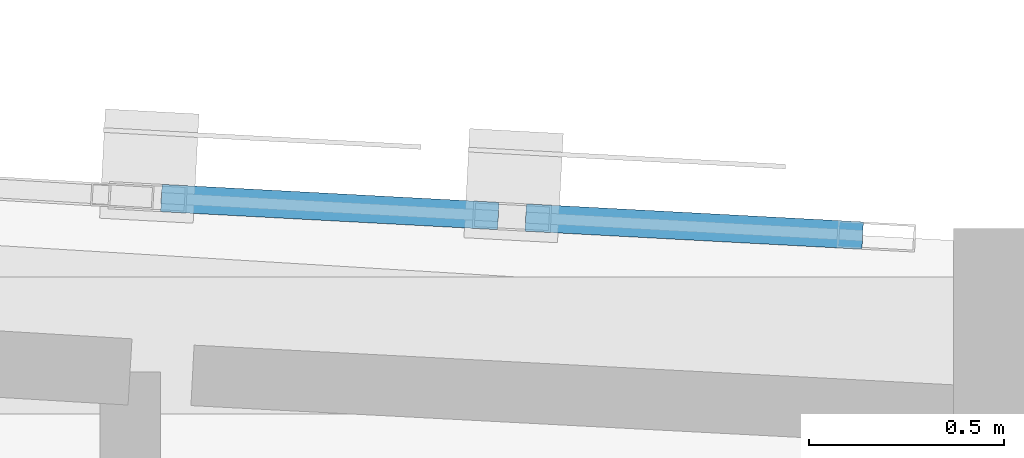
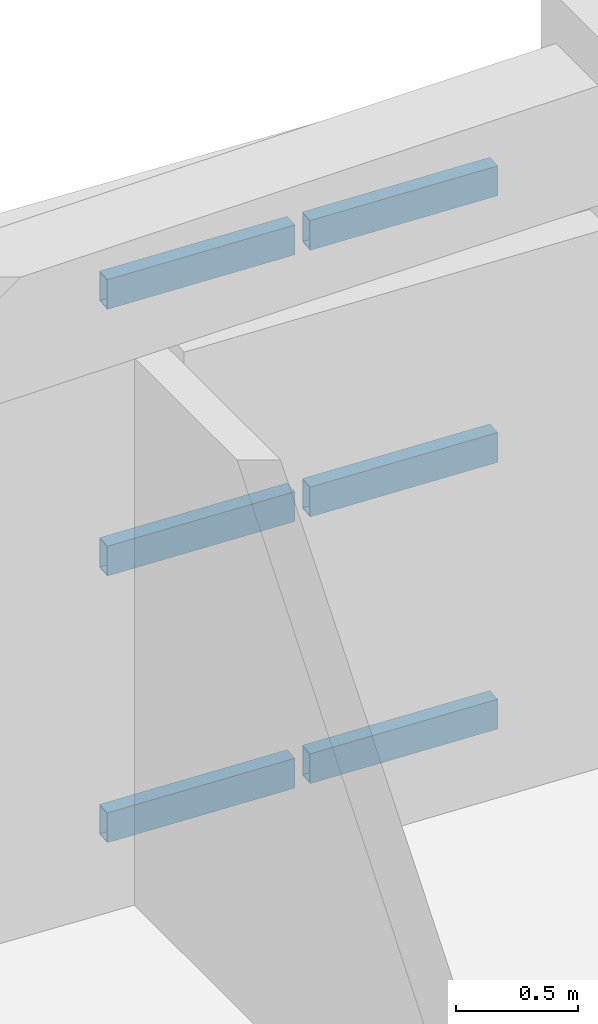
# One storey, part 32 of 51: 6 members, 1 element without a shape of its own.
"""IFC4 building model written with IfcOpenShell, lengths in metres."""

from ifc_helpers import new_model, si_unit, direction, frame, origin, origin_2d, place, context, subcontext, project, spatial, hollow_rectangle, extrude, material, layer, layer_set, material_profile, profile_set, type_object, element, aggregate, save


model = new_model("IFC4")

# Units and contexts
model_context = context("Model", 3, precision=1e-05, world=origin(), true_north=direction((0.0, 1.0)))
body_context = subcontext(model_context, "Body", "Model", "MODEL_VIEW")
ifc_project = project(units=[si_unit("LENGTHUNIT", "METRE"), si_unit("AREAUNIT", "SQUARE_METRE"), si_unit("VOLUMEUNIT", "CUBIC_METRE"), si_unit("PLANEANGLEUNIT", "RADIAN"), si_unit("MASSUNIT", "GRAM", prefix="KILO")], contexts=[model_context])

# Site, building, storey
site_placement = place(None, origin())
site = spatial("IfcSite", under=ifc_project, at=site_placement, CompositionType="ELEMENT")
building_placement = place(site_placement, origin())
building = spatial("IfcBuilding", under=site, at=building_placement, Name="Carrowvane Square Congress Hotel", CompositionType="ELEMENT")
storey_placement = place(building_placement, frame((0.0, 0.0, 30.0)))
storey = spatial("IfcBuildingStorey", under=building, at=storey_placement, Name="L07", CompositionType="ELEMENT", Elevation=30.0)

# Curtain wall, members
ifc_material_1 = material(Name="Anodised aluminium", Category="aluminium")
ifc_layer = layer(ifc_material_1, 0.24609375)
ifc_layer_set = layer_set([ifc_layer], Name="Anodised aluminium")
curtain_wall_type = type_object("IfcCurtainWallType", Name="CW-SYS-8", PredefinedType="NOTDEFINED", material=ifc_layer_set)
curtain_wall_placement = place(storey_placement, origin())
curtain_wall = element("IfcCurtainWall", 1, at=curtain_wall_placement, inside=storey, type_object=curtain_wall_type, Name="L07 unitised curtain wall 455", PredefinedType="NOTDEFINED")
ifc_material_2 = material(Name="Anodised aluminium", Category="aluminium")
ifc_material_profile = material_profile(ifc_material_2, hollow_rectangle(XDim=0.070068359375, YDim=0.14990234375, WallThickness=0.0048828125, at=origin_2d()), Name="CW-TR 70x150x5")
ifc_profile_set = profile_set([ifc_material_profile], Name="Anodised aluminium")
member_type = type_object("IfcMemberType", Name="CW-TRN-2", PredefinedType="USERDEFINED", material=ifc_profile_set)
member_1_placement = place(storey_placement, frame((153.27001953125, 113.777587890625, 0.034912109375), z_axis=(0.998575394314, -0.053358990536, 0.0), x_axis=(0.053358990536, 0.998575394314, 0.0)))
member_1 = element("IfcMember", 2, at=member_1_placement, type_object=member_type, Name="CW-8 transom 1.1", ObjectType="TRANSOM", PredefinedType="USERDEFINED", context=body_context, shape_type="SweptSolid", body=[
    extrude(hollow_rectangle(XDim=0.070068359375, YDim=0.14990234375, WallThickness=0.0048828125, at=origin_2d()), origin(), (0.0, 0.0, 1.0), 0.86474609375),
])
member_2_placement = place(storey_placement, frame((153.27001953125, 113.777587890625, 1.37255859375), z_axis=(0.998575394314, -0.053358990536, 0.0), x_axis=(0.053358990536, 0.998575394314, 0.0)))
member_2 = element("IfcMember", 3, at=member_2_placement, type_object=member_type, Name="CW-8 transom 1.2", ObjectType="TRANSOM", PredefinedType="USERDEFINED", context=body_context, shape_type="SweptSolid", body=[
    extrude(hollow_rectangle(XDim=0.070068359375, YDim=0.14990234375, WallThickness=0.0048828125, at=origin_2d()), origin(), (0.0, 0.0, 1.0), 0.86474609375),
])
member_3_placement = place(storey_placement, frame((153.27001953125, 113.777587890625, 2.7099609375), z_axis=(0.998575394314, -0.053358990536, 0.0), x_axis=(0.053358990536, 0.998575394314, 0.0)))
member_3 = element("IfcMember", 4, at=member_3_placement, type_object=member_type, Name="CW-8 transom 1.3", ObjectType="TRANSOM", PredefinedType="USERDEFINED", context=body_context, shape_type="SweptSolid", body=[
    extrude(hollow_rectangle(XDim=0.070068359375, YDim=0.14990234375, WallThickness=0.0048828125, at=origin_2d()), origin(), (0.0, 0.0, 1.0), 0.86474609375),
])
member_4_placement = place(storey_placement, frame((154.203369140625, 113.7275390625, 0.034912109375), z_axis=(0.998575394314, -0.053358990536, 0.0), x_axis=(0.053358990536, 0.998575394314, 0.0)))
member_4 = element("IfcMember", 5, at=member_4_placement, type_object=member_type, Name="CW-8 transom 2.1", ObjectType="TRANSOM", PredefinedType="USERDEFINED", context=body_context, shape_type="SweptSolid", body=[
    extrude(hollow_rectangle(XDim=0.070068359375, YDim=0.14990234375, WallThickness=0.0048828125, at=origin_2d()), origin(), (0.0, 0.0, 1.0), 0.86474609375),
])
member_5_placement = place(storey_placement, frame((154.203369140625, 113.7275390625, 1.37255859375), z_axis=(0.998575394314, -0.053358990536, 0.0), x_axis=(0.053358990536, 0.998575394314, 0.0)))
member_5 = element("IfcMember", 6, at=member_5_placement, type_object=member_type, Name="CW-8 transom 2.2", ObjectType="TRANSOM", PredefinedType="USERDEFINED", context=body_context, shape_type="SweptSolid", body=[
    extrude(hollow_rectangle(XDim=0.070068359375, YDim=0.14990234375, WallThickness=0.0048828125, at=origin_2d()), origin(), (0.0, 0.0, 1.0), 0.86474609375),
])
member_6_placement = place(storey_placement, frame((154.203369140625, 113.7275390625, 2.7099609375), z_axis=(0.998575394314, -0.053358990536, 0.0), x_axis=(0.053358990536, 0.998575394314, 0.0)))
member_6 = element("IfcMember", 7, at=member_6_placement, type_object=member_type, Name="CW-8 transom 2.3", ObjectType="TRANSOM", PredefinedType="USERDEFINED", context=body_context, shape_type="SweptSolid", body=[
    extrude(hollow_rectangle(XDim=0.070068359375, YDim=0.14990234375, WallThickness=0.0048828125, at=origin_2d()), origin(), (0.0, 0.0, 1.0), 0.86474609375),
])
aggregate(curtain_wall, [member_1, member_2, member_3, member_4, member_5, member_6])

save(model, "model.ifc")
